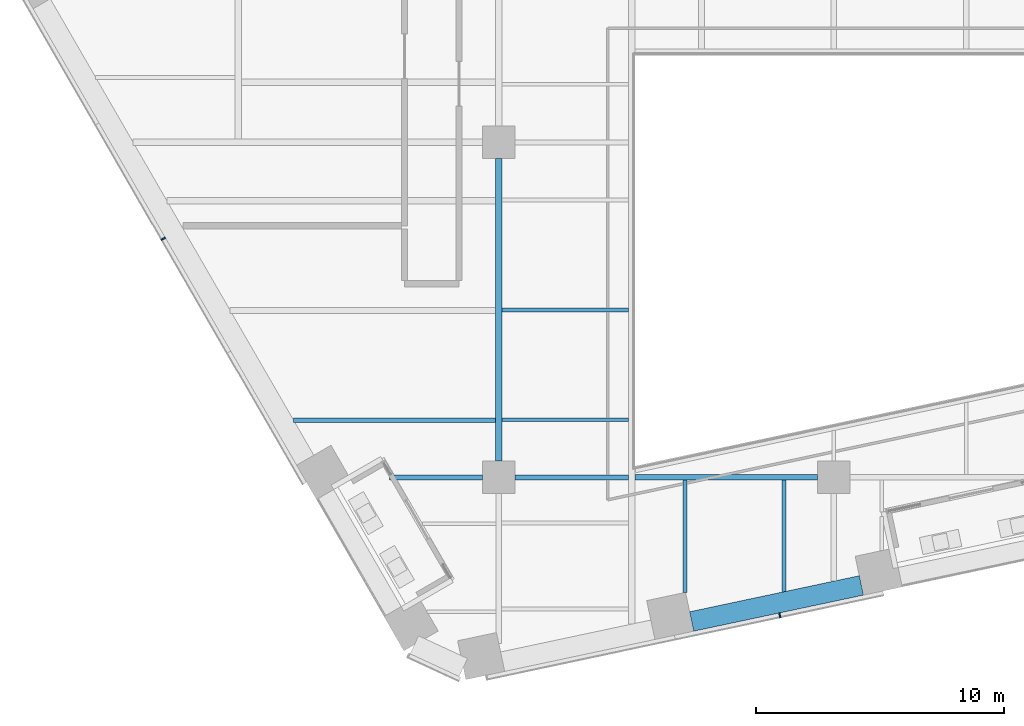
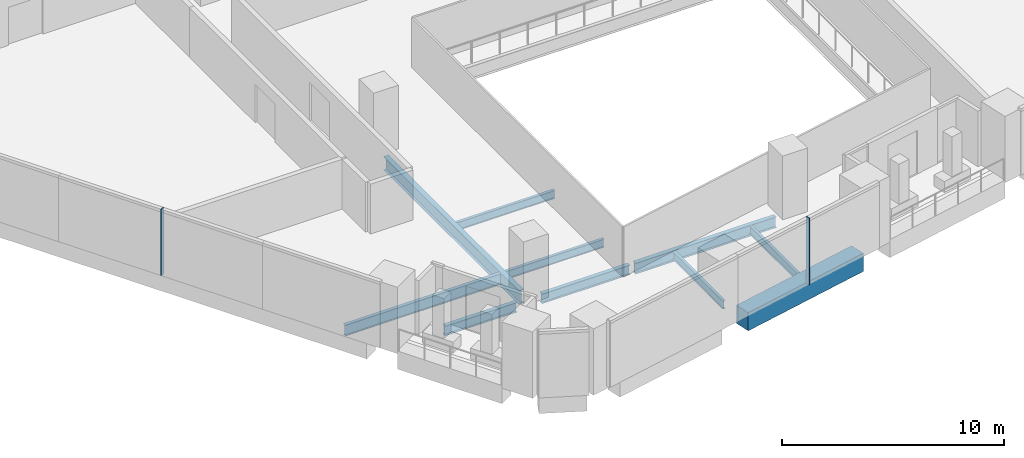
# One storey, part 3 of 28: 10 beams, 2 members, 2 elements without a shape of their own.
"""IFC4 building model written with IfcOpenShell, lengths in metres."""

from ifc_helpers import new_model, si_unit, direction, frame, origin, origin_2d, place, context, subcontext, project, spatial, rectangle, i_section, extrude, material, layer, layer_set, material_profile, profile_set, type_object, element, aggregate, save


model = new_model("IFC4")

# Units and contexts
model_context = context("Model", 3, precision=1e-05, world=origin(), true_north=direction((0.0, 1.0)))
body_context = subcontext(model_context, "Body", "Model", "MODEL_VIEW")
ifc_project = project(units=[si_unit("LENGTHUNIT", "METRE"), si_unit("AREAUNIT", "SQUARE_METRE"), si_unit("VOLUMEUNIT", "CUBIC_METRE"), si_unit("PLANEANGLEUNIT", "RADIAN"), si_unit("MASSUNIT", "GRAM", prefix="KILO")], contexts=[model_context])

# Site, building, storey
site_placement = place(None, origin())
site = spatial("IfcSite", under=ifc_project, at=site_placement, CompositionType="ELEMENT")
building_placement = place(site_placement, origin())
building = spatial("IfcBuilding", under=site, at=building_placement, Name="Isthmus Gate Tower", CompositionType="ELEMENT")
storey_placement = place(building_placement, frame((0.0, 0.0, 84.300048828125)))
storey = spatial("IfcBuildingStorey", under=building, at=storey_placement, Name="L19", CompositionType="ELEMENT", Elevation=84.300048828125)

# Curtain wall, member
ifc_material_1 = material(Name="Aluminium, pale champagne anodised", Category="aluminium")
ifc_layer = layer(ifc_material_1, 0.199951171875)
ifc_layer_set = layer_set([ifc_layer], Name="CW-1 UNITISED CURTAIN WALL 200 DEEP")
curtain_wall_type = type_object("IfcCurtainWallType", Name="CW-1 UNITISED CURTAIN WALL 200 DEEP", PredefinedType="NOTDEFINED", material=ifc_layer_set)
curtain_wall_1_placement = place(storey_placement, origin())
curtain_wall_1 = element("IfcCurtainWall", 1, at=curtain_wall_1_placement, inside=storey, type_object=curtain_wall_type, Name="CW-1 SW L19", PredefinedType="NOTDEFINED")
ifc_material_2 = material(Name="Aluminium, pale champagne anodised", Category="aluminium")
ifc_material_profile_1 = material_profile(ifc_material_2, rectangle(XDim=0.06005859375, YDim=0.199951171875, at=origin_2d()), Name="60x200")
ifc_profile_set_1 = profile_set([ifc_material_profile_1], Name="Aluminium, pale champagne anodised")
member_type = type_object("IfcMemberType", Name="CW-1 MULLION 60 X 200", PredefinedType="MULLION", material=ifc_profile_set_1)
member_1_placement = place(storey_placement, frame((-27.026611328125, -17.388427734375, 0.0), z_axis=(0.0, 0.0, 1.0), x_axis=(0.5, -0.866025403784, 0.0)))
member_1 = element("IfcMember", 2, at=member_1_placement, type_object=member_type, Name="CW-1 mullion", PredefinedType="MULLION", context=body_context, shape_type="SweptSolid", body=[
    extrude(rectangle(XDim=0.06005859375, YDim=0.199951171875, at=origin_2d()), origin(), (0.0, 0.0, 1.0), 3.64990234375),
])
aggregate(curtain_wall_1, [member_1])

curtain_wall_2_placement = place(storey_placement, origin())
curtain_wall_2 = element("IfcCurtainWall", 3, at=curtain_wall_2_placement, inside=storey, type_object=curtain_wall_type, Name="CW-1 S L19", PredefinedType="NOTDEFINED")
member_2_placement = place(storey_placement, frame((-2.1728515625, -32.564208984375, 0.0), z_axis=(0.0, 0.0, 1.0), x_axis=(0.978147600734, 0.207911690818, 0.0)))
member_2 = element("IfcMember", 4, at=member_2_placement, type_object=member_type, Name="CW-1 mullion", PredefinedType="MULLION", context=body_context, shape_type="SweptSolid", body=[
    extrude(rectangle(XDim=0.06005859375, YDim=0.199951171875, at=origin_2d()), origin(), (0.0, 0.0, 1.0), 3.64990234375),
])
aggregate(curtain_wall_2, [member_2])

# Beams
ifc_material_3 = material(Name="Concrete f'c 70 MPa", Category="concrete")
ifc_material_profile_2 = material_profile(ifc_material_3, rectangle(XDim=0.800048828125, YDim=1.0, at=origin_2d()), Name="RC 800X1000")
ifc_profile_set_2 = profile_set([ifc_material_profile_2], Name="Concrete f'c 70 MPa")
beam_type_1 = type_object("IfcBeamType", Name="RC SPANDREL 800 X 1000", PredefinedType="SPANDREL", material=ifc_profile_set_2)
beam_1_placement = place(storey_placement, frame((1.112060546875, -31.354736328125, -0.5), z_axis=(-0.978149173437, -0.207904291694, 0.0), x_axis=(0.207904291694, -0.978149173437, 0.0)))
element("IfcBeam", 5, at=beam_1_placement, inside=storey, type_object=beam_type_1, Name="str-spandrel-L19-12", PredefinedType="SPANDREL", context=body_context, shape_type="SweptSolid", body=[
    extrude(rectangle(XDim=0.800048828125, YDim=1.0, at=origin_2d()), origin(), (0.0, 0.0, 1.0), 6.989501953125),
])
ifc_material_4 = material(Name="Structural steel ASTM A992 Gr 50", Category="steel")
ifc_material_profile_3 = material_profile(ifc_material_4, i_section(OverallWidth=0.15234375, OverallDepth=0.45068359375, WebThickness=0.0078125, FlangeThickness=0.010986328125, at=origin_2d()), Name="W18X35")
ifc_profile_set_3 = profile_set([ifc_material_profile_3], Name="Structural steel ASTM A992 Gr 50")
beam_type_2 = type_object("IfcBeamType", Name="STEEL FLOOR BEAM W18X35", PredefinedType="JOIST", material=ifc_profile_set_3)
for number, where, z_axis, x_axis, name in (
    (6, (-13.3681640625, -24.68017578125, -0.37548828125), (1.0, 0.0, 0.0), (0.0, 1.0, 0.0), "str-beam-L19-15-00"),
    (7, (-13.3681640625, -20.25, -0.37548828125), (1.0, 0.0, 0.0), (0.0, 1.0, 0.0), "str-beam-L19-15-01"),
):
    element("IfcBeam", number, at=place(storey_placement, frame(where, z_axis=z_axis, x_axis=x_axis)), inside=storey, type_object=beam_type_2, Name=name, PredefinedType="JOIST", context=body_context, shape_type="SweptSolid", body=[
        extrude(i_section(OverallWidth=0.15234375, OverallDepth=0.45068359375, WebThickness=0.0078125, FlangeThickness=0.010986328125, at=origin_2d()), origin(), (0.0, 0.0, 1.0), 5.1015625),
    ])
beam_2_placement = place(storey_placement, frame((-6.0, -31.6396484375, -0.37548828125), z_axis=(0.0, 1.0, 0.0), x_axis=(-1.0, 0.0, 0.0)))
element("IfcBeam", 8, at=beam_2_placement, inside=storey, type_object=beam_type_2, Name="str-beam-L19-18-00", PredefinedType="JOIST", context=body_context, shape_type="SweptSolid", body=[
    extrude(i_section(OverallWidth=0.15234375, OverallDepth=0.45068359375, WebThickness=0.0078125, FlangeThickness=0.010986328125, at=origin_2d()), origin(), (0.0, 0.0, 1.0), 4.525390625),
])
beam_3_placement = place(storey_placement, frame((-2.0, -31.607177734375, -0.37548828125), z_axis=(0.0, 1.0, 0.0), x_axis=(-1.0, 0.0, 0.0)))
element("IfcBeam", 9, at=beam_3_placement, inside=storey, type_object=beam_type_2, Name="str-beam-L19-18-01", PredefinedType="JOIST", context=body_context, shape_type="SweptSolid", body=[
    extrude(i_section(OverallWidth=0.15234375, OverallDepth=0.45068359375, WebThickness=0.0078125, FlangeThickness=0.010986328125, at=origin_2d()), origin(), (0.0, 0.0, 1.0), 4.492919921875),
])
ifc_material_5 = material(Name="Structural steel ASTM A992 Gr 50", Category="steel")
ifc_material_profile_4 = material_profile(ifc_material_5, i_section(OverallWidth=0.177734375, OverallDepth=0.60009765625, WebThickness=0.009521484375, FlangeThickness=0.0126953125, at=origin_2d()), Name="W24X55")
ifc_profile_set_4 = profile_set([ifc_material_profile_4], Name="Structural steel ASTM A992 Gr 50")
beam_type_3 = type_object("IfcBeamType", Name="STEEL FLOOR BEAM W24X55", PredefinedType="JOIST", material=ifc_profile_set_4)
beam_4_placement = place(storey_placement, frame((-21.76708984375, -24.698486328125, -0.4501953125), z_axis=(1.0, 0.0, 0.0), x_axis=(0.0, 1.0, 0.0)))
element("IfcBeam", 10, at=beam_4_placement, inside=storey, type_object=beam_type_3, Name="str-beam-L19-07-00", PredefinedType="JOIST", context=body_context, shape_type="SweptSolid", body=[
    extrude(i_section(OverallWidth=0.177734375, OverallDepth=0.60009765625, WebThickness=0.009521484375, FlangeThickness=0.0126953125, at=origin_2d()), origin(), (0.0, 0.0, 1.0), 8.13525390625),
])
ifc_material_6 = material(Name="Structural steel ASTM A992 Gr 50", Category="steel")
ifc_material_profile_5 = material_profile(ifc_material_6, i_section(OverallWidth=0.20947265625, OverallDepth=0.533447265625, WebThickness=0.009521484375, FlangeThickness=0.015869140625, at=origin_2d()), Name="W21X62")
ifc_profile_set_5 = profile_set([ifc_material_profile_5], Name="Structural steel ASTM A992 Gr 50")
beam_type_4 = type_object("IfcBeamType", Name="STEEL GIRDER W21X62", PredefinedType="BEAM", material=ifc_profile_set_5)
beam_5_placement = place(storey_placement, frame((-17.89794921875, -27.0, -0.416748046875), z_axis=(1.0, 0.0, 0.0), x_axis=(0.0, 1.0, 0.0)))
element("IfcBeam", 11, at=beam_5_placement, inside=storey, type_object=beam_type_4, Name="str-girder-L19-01", PredefinedType="BEAM", context=body_context, shape_type="SweptSolid", body=[
    extrude(i_section(OverallWidth=0.20947265625, OverallDepth=0.533447265625, WebThickness=0.009521484375, FlangeThickness=0.015869140625, at=origin_2d()), origin(), (0.0, 0.0, 1.0), 3.748046875),
])
beam_6_placement = place(storey_placement, frame((-12.85009765625, -27.0, -0.416748046875), z_axis=(1.0, 0.0, 0.0), x_axis=(0.0, 1.0, 0.0)))
element("IfcBeam", 12, at=beam_6_placement, inside=storey, type_object=beam_type_4, Name="str-girder-L19-02", PredefinedType="BEAM", context=body_context, shape_type="SweptSolid", body=[
    extrude(i_section(OverallWidth=0.20947265625, OverallDepth=0.533447265625, WebThickness=0.009521484375, FlangeThickness=0.015869140625, at=origin_2d()), origin(), (0.0, 0.0, 1.0), 4.58349609375),
])
ifc_material_7 = material(Name="Structural steel ASTM A992 Gr 50", Category="steel")
ifc_material_profile_6 = material_profile(ifc_material_7, i_section(OverallWidth=0.228515625, OverallDepth=0.603271484375, WebThickness=0.010986328125, FlangeThickness=0.014404296875, at=origin_2d()), Name="W24X68")
ifc_profile_set_6 = profile_set([ifc_material_profile_6], Name="Structural steel ASTM A992 Gr 50")
beam_type_5 = type_object("IfcBeamType", Name="STEEL GIRDER W24X68", PredefinedType="BEAM", material=ifc_profile_set_6)
beam_7_placement = place(storey_placement, frame((-8.0, -27.0, -0.45166015625), z_axis=(1.0, 0.0, 0.0), x_axis=(0.0, 1.0, 0.0)))
element("IfcBeam", 13, at=beam_7_placement, inside=storey, type_object=beam_type_5, Name="str-girder-L19-03", PredefinedType="BEAM", context=body_context, shape_type="SweptSolid", body=[
    extrude(i_section(OverallWidth=0.228515625, OverallDepth=0.603271484375, WebThickness=0.010986328125, FlangeThickness=0.014404296875, at=origin_2d()), origin(), (0.0, 0.0, 1.0), 7.35009765625),
])
ifc_material_8 = material(Name="Structural steel ASTM A992 Gr 50", Category="steel")
ifc_material_profile_7 = material_profile(ifc_material_8, i_section(OverallWidth=0.263427734375, OverallDepth=0.749267578125, WebThickness=0.0126953125, FlangeThickness=0.015869140625, at=origin_2d()), Name="W30X90")
ifc_profile_set_7 = profile_set([ifc_material_profile_7], Name="Structural steel ASTM A992 Gr 50")
beam_type_6 = type_object("IfcBeamType", Name="STEEL GIRDER W30X90", PredefinedType="BEAM", material=ifc_profile_set_7)
beam_8_placement = place(storey_placement, frame((-13.5, -26.35009765625, -0.524658203125), z_axis=(0.0, 1.0, 0.0), x_axis=(-1.0, 0.0, 0.0)))
element("IfcBeam", 14, at=beam_8_placement, inside=storey, type_object=beam_type_6, Name="str-girder-L19-25", PredefinedType="BEAM", context=body_context, shape_type="SweptSolid", body=[
    extrude(i_section(OverallWidth=0.263427734375, OverallDepth=0.749267578125, WebThickness=0.0126953125, FlangeThickness=0.015869140625, at=origin_2d()), origin(), (0.0, 0.0, 1.0), 12.2001953125),
])

save(model, "model.ifc")
